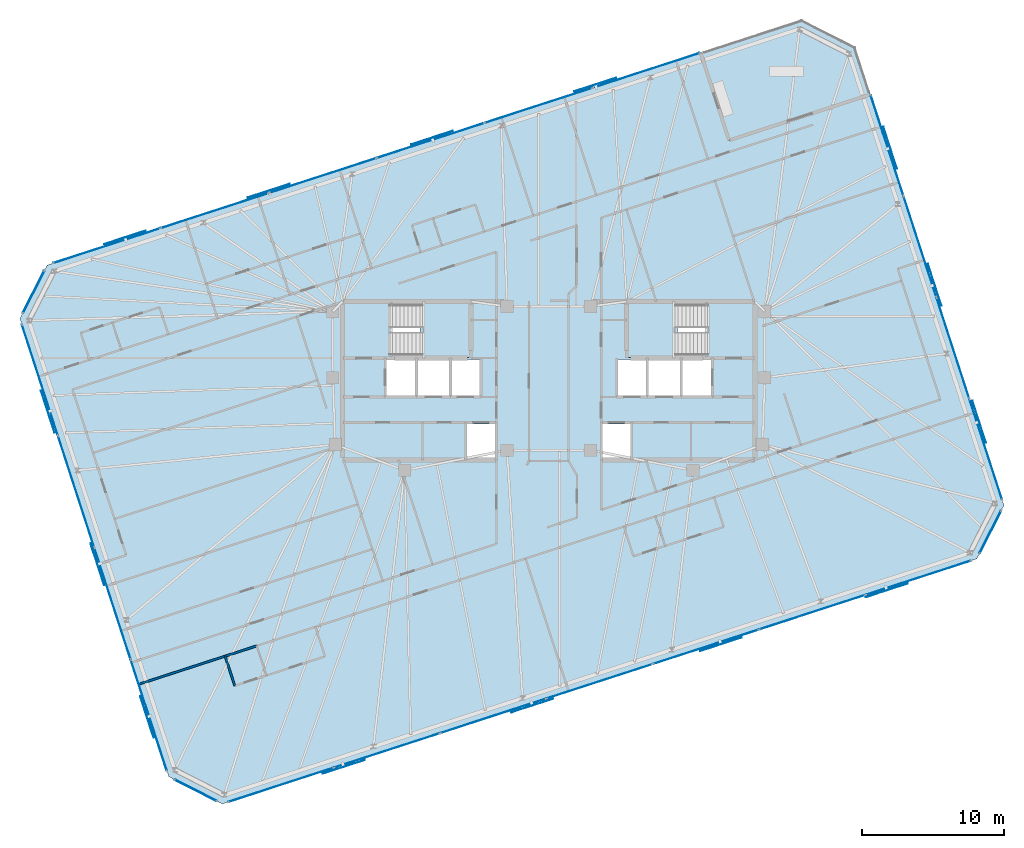
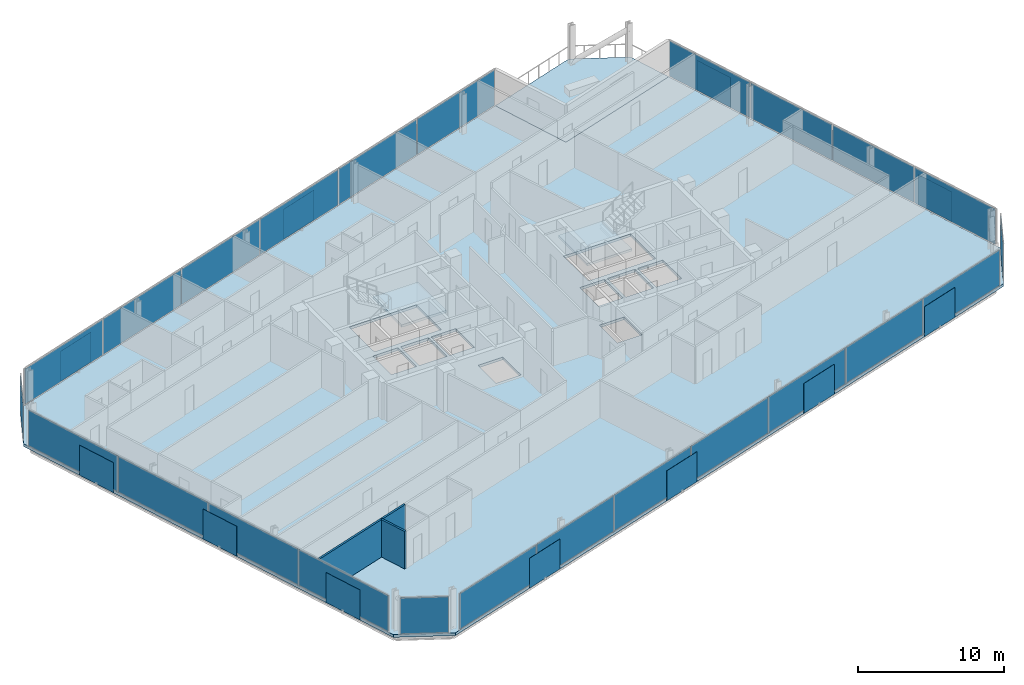
# One storey, part 12 of 19: 38 plates, 4 slabs, 3 walls, 9 elements without a shape of their own.
"""IFC4 building model written with IfcOpenShell, lengths in metres."""

from ifc_helpers import new_model, si_unit, direction, frame, frame_2d, origin, origin_2d, place, context, subcontext, project, spatial, polyline, rectangle, outline, extrude, material, layer, layer_set, type_object, element, aggregate, save


model = new_model("IFC4")

# Units and contexts
model_context = context("Model", 3, precision=1e-05, world=origin(), true_north=direction((0.0, 1.0)))
body_context = subcontext(model_context, "Body", "Model", "MODEL_VIEW")
ifc_project = project(units=[si_unit("LENGTHUNIT", "METRE"), si_unit("AREAUNIT", "SQUARE_METRE"), si_unit("VOLUMEUNIT", "CUBIC_METRE"), si_unit("PLANEANGLEUNIT", "RADIAN"), si_unit("MASSUNIT", "GRAM", prefix="KILO")], contexts=[model_context])

# Site, building, storey
site_placement = place(None, origin())
site = spatial("IfcSite", under=ifc_project, at=site_placement, CompositionType="ELEMENT")
building_placement = place(site_placement, origin())
building = spatial("IfcBuilding", under=site, at=building_placement, Name="Menara Jurai Vektor", CompositionType="ELEMENT")
storey_placement = place(building_placement, frame((0.0, 0.0, 231.0)))
storey = spatial("IfcBuildingStorey", under=building, at=storey_placement, Name="L61", CompositionType="ELEMENT", Elevation=231.0)

# Curtain wall, plates
ifc_material_1 = material(Name="Anodised Pale Aluminium & Low-E Double Glazing", Category="aluminium")
curtain_wall_type = type_object("IfcCurtainWallType", Name="CW-BLK4", PredefinedType="NOTDEFINED", material=ifc_material_1)
curtain_wall_1_placement = place(storey_placement, origin())
curtain_wall_1 = element("IfcCurtainWall", 1, at=curtain_wall_1_placement, inside=storey, type_object=curtain_wall_type, Name="Unitised Curtain Wall L61 F03", PredefinedType="NOTDEFINED")
ifc_material_2 = material(Name="Low-E Solar-Control Double Glazed Unit", Category="glass")
ifc_layer_1 = layer(ifc_material_2, 0.030029296875)
ifc_layer_set_1 = layer_set([ifc_layer_1], Name="Low-E Solar-Control Double Glazed Unit")
plate_type_1 = type_object("IfcPlateType", Name="CW-BLK4-PNL", PredefinedType="CURTAIN_PANEL", material=ifc_layer_set_1)
plate_1_placement = place(storey_placement, frame((6.883544921875, 21.91064453125, 0.080078125), z_axis=(0.0, 0.0, 1.0), x_axis=(-0.95105642416, -0.309017277937, 0.0)))
plate_1 = element("IfcPlate", 2, at=plate_1_placement, type_object=plate_type_1, Name="CW-04 panel 1.1", PredefinedType="CURTAIN_PANEL", context=body_context, shape_type="SweptSolid", body=[
    extrude(rectangle(XDim=7.89990234375, YDim=0.030029296875, at=origin_2d()), origin(), (0.0, 0.0, 1.0), 2.965087890625),
])
plate_2_placement = place(storey_placement, frame((-0.724853515625, 19.4384765625, 0.080078125), z_axis=(0.0, 0.0, 1.0), x_axis=(-0.95105642416, -0.309017277937, 0.0)))
plate_2 = element("IfcPlate", 3, at=plate_2_placement, type_object=plate_type_1, Name="CW-04 panel 2.1", PredefinedType="CURTAIN_PANEL", context=body_context, shape_type="SweptSolid", body=[
    extrude(rectangle(XDim=7.93994140625, YDim=0.030029296875, at=origin_2d()), origin(), (0.0, 0.0, 1.0), 2.965087890625),
])
plate_3_placement = place(storey_placement, frame((-8.352294921875, 16.960205078125, 0.080078125), z_axis=(0.0, 0.0, 1.0), x_axis=(-0.95105642416, -0.309017277937, 0.0)))
plate_3 = element("IfcPlate", 4, at=plate_3_placement, type_object=plate_type_1, Name="CW-04 panel 3.1", PredefinedType="CURTAIN_PANEL", context=body_context, shape_type="SweptSolid", body=[
    extrude(rectangle(XDim=7.93994140625, YDim=0.030029296875, at=origin_2d()), origin(), (0.0, 0.0, 1.0), 2.965087890625),
])
plate_4_placement = place(storey_placement, frame((-15.979736328125, 14.48193359375, 0.080078125), z_axis=(0.0, 0.0, 1.0), x_axis=(-0.95105642416, -0.309017277937, 0.0)))
plate_4 = element("IfcPlate", 5, at=plate_4_placement, type_object=plate_type_1, Name="CW-04 panel 4.1", PredefinedType="CURTAIN_PANEL", context=body_context, shape_type="SweptSolid", body=[
    extrude(rectangle(XDim=7.93994140625, YDim=0.030029296875, at=origin_2d()), origin(), (0.0, 0.0, 1.0), 2.965087890625),
])
plate_5_placement = place(storey_placement, frame((-23.607421875, 12.003662109375, 0.080078125), z_axis=(0.0, 0.0, 1.0), x_axis=(-0.95105642416, -0.309017277937, 0.0)))
plate_5 = element("IfcPlate", 6, at=plate_5_placement, type_object=plate_type_1, Name="CW-04 panel 5.1", PredefinedType="CURTAIN_PANEL", context=body_context, shape_type="SweptSolid", body=[
    extrude(rectangle(XDim=7.93994140625, YDim=0.030029296875, at=origin_2d()), origin(), (0.0, 0.0, 1.0), 2.965087890625),
])
plate_6_placement = place(storey_placement, frame((-31.2158203125, 9.531494140625, 0.080078125), z_axis=(0.0, 0.0, 1.0), x_axis=(-0.95105642416, -0.309017277937, 0.0)))
plate_6 = element("IfcPlate", 7, at=plate_6_placement, type_object=plate_type_1, Name="CW-04 panel 6.1", PredefinedType="CURTAIN_PANEL", context=body_context, shape_type="SweptSolid", body=[
    extrude(rectangle(XDim=7.89990234375, YDim=0.030029296875, at=origin_2d()), origin(), (0.0, 0.0, 1.0), 2.965087890625),
])
aggregate(curtain_wall_1, [plate_1, plate_2, plate_3, plate_4, plate_5, plate_6])

curtain_wall_2_placement = place(storey_placement, origin())
curtain_wall_2 = element("IfcCurtainWall", 8, at=curtain_wall_2_placement, inside=storey, type_object=curtain_wall_type, Name="Unitised Curtain Wall L61 F05", PredefinedType="NOTDEFINED")
plate_7_placement = place(storey_placement, frame((-35.928466796875, 0.056396484375, 0.080078125), z_axis=(0.0, 0.0, 1.0), x_axis=(0.309016481464, -0.95105668295, 0.0)))
plate_7 = element("IfcPlate", 9, at=plate_7_placement, type_object=plate_type_1, Name="CW-04 panel 1.1", PredefinedType="CURTAIN_PANEL", context=body_context, shape_type="SweptSolid", body=[
    extrude(rectangle(XDim=8.18994140625, YDim=0.030029296875, at=origin_2d()), origin(), (0.0, 0.0, 1.0), 2.965087890625),
])
plate_8_placement = place(storey_placement, frame((-33.36669921875, -7.827880859375, 0.080078125), z_axis=(0.0, 0.0, 1.0), x_axis=(0.309016481464, -0.95105668295, 0.0)))
plate_8 = element("IfcPlate", 10, at=plate_8_placement, type_object=plate_type_1, Name="CW-04 panel 2.1", PredefinedType="CURTAIN_PANEL", context=body_context, shape_type="SweptSolid", body=[
    extrude(rectangle(XDim=8.22998046875, YDim=0.030029296875, at=origin_2d()), origin(), (0.0, 0.0, 1.0), 2.965087890625),
])
plate_9_placement = place(storey_placement, frame((-30.798828125, -15.731201171875, 0.080078125), z_axis=(0.0, 0.0, 1.0), x_axis=(0.309016481464, -0.95105668295, 0.0)))
plate_9 = element("IfcPlate", 11, at=plate_9_placement, type_object=plate_type_1, Name="CW-04 panel 3.1", PredefinedType="CURTAIN_PANEL", context=body_context, shape_type="SweptSolid", body=[
    extrude(rectangle(XDim=8.22998046875, YDim=0.030029296875, at=origin_2d()), origin(), (0.0, 0.0, 1.0), 2.965087890625),
])
plate_10_placement = place(storey_placement, frame((-28.237060546875, -23.615478515625, 0.080078125), z_axis=(0.0, 0.0, 1.0), x_axis=(0.309016481464, -0.95105668295, 0.0)))
plate_10 = element("IfcPlate", 12, at=plate_10_placement, type_object=plate_type_1, Name="CW-04 panel 4.1", PredefinedType="CURTAIN_PANEL", context=body_context, shape_type="SweptSolid", body=[
    extrude(rectangle(XDim=8.18994140625, YDim=0.030029296875, at=origin_2d()), origin(), (0.0, 0.0, 1.0), 2.965087890625),
])
aggregate(curtain_wall_2, [plate_7, plate_8, plate_9, plate_10])

curtain_wall_3_placement = place(storey_placement, origin())
curtain_wall_3 = element("IfcCurtainWall", 13, at=curtain_wall_3_placement, inside=storey, type_object=curtain_wall_type, Name="Unitised Curtain Wall L61 F07", PredefinedType="NOTDEFINED")
plate_11_placement = place(storey_placement, frame((-18.916259765625, -28.53076171875, 0.080078125), z_axis=(0.0, 0.0, 1.0), x_axis=(0.951056402641, 0.309017344167, 0.0)))
plate_11 = element("IfcPlate", 14, at=plate_11_placement, type_object=plate_type_1, Name="CW-04 panel 1.1", PredefinedType="CURTAIN_PANEL", context=body_context, shape_type="SweptSolid", body=[
    extrude(rectangle(XDim=7.771484375, YDim=0.030029296875, at=origin_2d()), origin(), (0.0, 0.0, 1.0), 2.965087890625),
])
plate_12_placement = place(storey_placement, frame((-11.429931640625, -26.098388671875, 0.080078125), z_axis=(0.0, 0.0, 1.0), x_axis=(0.951056402641, 0.309017344167, 0.0)))
plate_12 = element("IfcPlate", 15, at=plate_12_placement, type_object=plate_type_1, Name="CW-04 panel 2.1", PredefinedType="CURTAIN_PANEL", context=body_context, shape_type="SweptSolid", body=[
    extrude(rectangle(XDim=7.8115234375, YDim=0.030029296875, at=origin_2d()), origin(), (0.0, 0.0, 1.0), 2.965087890625),
])
plate_13_placement = place(storey_placement, frame((-3.9248046875, -23.65966796875, 0.080078125), z_axis=(0.0, 0.0, 1.0), x_axis=(0.951056402641, 0.309017344167, 0.0)))
plate_13 = element("IfcPlate", 16, at=plate_13_placement, type_object=plate_type_1, Name="CW-04 panel 3.1", PredefinedType="CURTAIN_PANEL", context=body_context, shape_type="SweptSolid", body=[
    extrude(rectangle(XDim=7.8115234375, YDim=0.030029296875, at=origin_2d()), origin(), (0.0, 0.0, 1.0), 2.965087890625),
])
plate_14_placement = place(storey_placement, frame((3.580322265625, -21.22119140625, 0.080078125), z_axis=(0.0, 0.0, 1.0), x_axis=(0.951056402641, 0.309017344167, 0.0)))
plate_14 = element("IfcPlate", 17, at=plate_14_placement, type_object=plate_type_1, Name="CW-04 panel 4.1", PredefinedType="CURTAIN_PANEL", context=body_context, shape_type="SweptSolid", body=[
    extrude(rectangle(XDim=7.8115234375, YDim=0.030029296875, at=origin_2d()), origin(), (0.0, 0.0, 1.0), 2.965087890625),
])
plate_15_placement = place(storey_placement, frame((11.08544921875, -18.782470703125, 0.080078125), z_axis=(0.0, 0.0, 1.0), x_axis=(0.951056402641, 0.309017344167, 0.0)))
plate_15 = element("IfcPlate", 18, at=plate_15_placement, type_object=plate_type_1, Name="CW-04 panel 5.1", PredefinedType="CURTAIN_PANEL", context=body_context, shape_type="SweptSolid", body=[
    extrude(rectangle(XDim=7.8115234375, YDim=0.030029296875, at=origin_2d()), origin(), (0.0, 0.0, 1.0), 2.965087890625),
])
plate_16_placement = place(storey_placement, frame((18.5908203125, -16.343994140625, 0.080078125), z_axis=(0.0, 0.0, 1.0), x_axis=(0.951056402641, 0.309017344167, 0.0)))
plate_16 = element("IfcPlate", 19, at=plate_16_placement, type_object=plate_type_1, Name="CW-04 panel 6.1", PredefinedType="CURTAIN_PANEL", context=body_context, shape_type="SweptSolid", body=[
    extrude(rectangle(XDim=7.8115234375, YDim=0.030029296875, at=origin_2d()), origin(), (0.0, 0.0, 1.0), 2.965087890625),
])
plate_17_placement = place(storey_placement, frame((26.076904296875, -13.91162109375, 0.080078125), z_axis=(0.0, 0.0, 1.0), x_axis=(0.951056402641, 0.309017344167, 0.0)))
plate_17 = element("IfcPlate", 20, at=plate_17_placement, type_object=plate_type_1, Name="CW-04 panel 7.1", PredefinedType="CURTAIN_PANEL", context=body_context, shape_type="SweptSolid", body=[
    extrude(rectangle(XDim=7.771484375, YDim=0.030029296875, at=origin_2d()), origin(), (0.0, 0.0, 1.0), 2.965087890625),
])
aggregate(curtain_wall_3, [plate_11, plate_12, plate_13, plate_14, plate_15, plate_16, plate_17])

curtain_wall_4_placement = place(storey_placement, origin())
curtain_wall_4 = element("IfcCurtainWall", 21, at=curtain_wall_4_placement, inside=storey, type_object=curtain_wall_type, Name="Unitised Curtain Wall L61 F09", PredefinedType="NOTDEFINED")
plate_18_placement = place(storey_placement, frame((30.848876953125, -4.8271484375, 0.080078125), z_axis=(0.0, 0.0, 1.0), x_axis=(-0.309017455812, 0.951056366365, 0.0)))
plate_18 = element("IfcPlate", 22, at=plate_18_placement, type_object=plate_type_1, Name="CW-04 panel 1.1", PredefinedType="CURTAIN_PANEL", context=body_context, shape_type="SweptSolid", body=[
    extrude(rectangle(XDim=7.409912109375, YDim=0.030029296875, at=origin_2d()), origin(), (0.0, 0.0, 1.0), 2.965087890625),
])
plate_19_placement = place(storey_placement, frame((28.5283203125, 2.315185546875, 0.080078125), z_axis=(0.0, 0.0, 1.0), x_axis=(-0.309017455812, 0.951056366365, 0.0)))
plate_19 = element("IfcPlate", 23, at=plate_19_placement, type_object=plate_type_1, Name="CW-04 panel 2.1", PredefinedType="CURTAIN_PANEL", context=body_context, shape_type="SweptSolid", body=[
    extrude(rectangle(XDim=7.449951171875, YDim=0.030029296875, at=origin_2d()), origin(), (0.0, 0.0, 1.0), 2.965087890625),
])
plate_20_placement = place(storey_placement, frame((26.201416015625, 9.4765625, 0.080078125), z_axis=(0.0, 0.0, 1.0), x_axis=(-0.309017455812, 0.951056366365, 0.0)))
plate_20 = element("IfcPlate", 24, at=plate_20_placement, type_object=plate_type_1, Name="CW-04 panel 3.1", PredefinedType="CURTAIN_PANEL", context=body_context, shape_type="SweptSolid", body=[
    extrude(rectangle(XDim=7.449951171875, YDim=0.030029296875, at=origin_2d()), origin(), (0.0, 0.0, 1.0), 2.965087890625),
])
plate_21_placement = place(storey_placement, frame((23.880615234375, 16.619140625, 0.080078125), z_axis=(0.0, 0.0, 1.0), x_axis=(-0.309017455812, 0.951056366365, 0.0)))
plate_21 = element("IfcPlate", 25, at=plate_21_placement, type_object=plate_type_1, Name="CW-04 panel 4.1", PredefinedType="CURTAIN_PANEL", context=body_context, shape_type="SweptSolid", body=[
    extrude(rectangle(XDim=7.409912109375, YDim=0.030029296875, at=origin_2d()), origin(), (0.0, 0.0, 1.0), 2.965087890625),
])
aggregate(curtain_wall_4, [plate_18, plate_19, plate_20, plate_21])

# Curtain wall, plate
curtain_wall_5_placement = place(storey_placement, origin())
curtain_wall_5 = element("IfcCurtainWall", 26, at=curtain_wall_5_placement, inside=storey, type_object=curtain_wall_type, Name="Unitised Curtain Wall L61 F04", PredefinedType="NOTDEFINED")
ifc_material_3 = material(Name="Insulated Pale Aluminium Spandrel Panel", Category="aluminium")
ifc_layer_2 = layer(ifc_material_3, 0.06005859375)
ifc_layer_set_2 = layer_set([ifc_layer_2], Name="Insulated Pale Aluminium Spandrel Panel")
plate_type_2 = type_object("IfcPlateType", Name="CW-PNL-SP", PredefinedType="CURTAIN_PANEL", material=ifc_layer_set_2)
plate_22_placement = place(storey_placement, frame((-36.373046875, 6.278564453125, 0.080078125), z_axis=(0.0, 0.0, 1.0), x_axis=(-0.453988579828, -0.89100750243, 0.0)))
plate_22 = element("IfcPlate", 27, at=plate_22_placement, type_object=plate_type_2, Name="CW-04 panel 1.1", PredefinedType="CURTAIN_PANEL", context=body_context, shape_type="SweptSolid", body=[
    extrude(rectangle(XDim=3.32275390625, YDim=0.06005859375, at=origin_2d()), origin(), (0.0, 0.0, 1.0), 2.965087890625),
])
aggregate(curtain_wall_5, [plate_22])

curtain_wall_6_placement = place(storey_placement, origin())
curtain_wall_6 = element("IfcCurtainWall", 28, at=curtain_wall_6_placement, inside=storey, type_object=curtain_wall_type, Name="Unitised Curtain Wall L61 F06", PredefinedType="NOTDEFINED")
plate_23_placement = place(storey_placement, frame((-24.939453125, -28.91064453125, 0.080078125), z_axis=(0.0, 0.0, 1.0), x_axis=(0.89100750243, -0.453988579828, 0.0)))
plate_23 = element("IfcPlate", 29, at=plate_23_placement, type_object=plate_type_2, Name="CW-04 panel 1.1", PredefinedType="CURTAIN_PANEL", context=body_context, shape_type="SweptSolid", body=[
    extrude(rectangle(XDim=3.32275390625, YDim=0.06005859375, at=origin_2d()), origin(), (0.0, 0.0, 1.0), 2.965087890625),
])
aggregate(curtain_wall_6, [plate_23])

curtain_wall_7_placement = place(storey_placement, origin())
curtain_wall_7 = element("IfcCurtainWall", 30, at=curtain_wall_7_placement, inside=storey, type_object=curtain_wall_type, Name="Unitised Curtain Wall L61 F08", PredefinedType="NOTDEFINED")
plate_24_placement = place(storey_placement, frame((31.1728515625, -10.678466796875, 0.080078125), z_axis=(0.0, 0.0, 1.0), x_axis=(0.453988579828, 0.89100750243, 0.0)))
plate_24 = element("IfcPlate", 31, at=plate_24_placement, type_object=plate_type_2, Name="CW-04 panel 1.1", PredefinedType="CURTAIN_PANEL", context=body_context, shape_type="SweptSolid", body=[
    extrude(rectangle(XDim=3.32275390625, YDim=0.06005859375, at=origin_2d()), origin(), (0.0, 0.0, 1.0), 2.965087890625),
])
aggregate(curtain_wall_7, [plate_24])

# Plates
ifc_material_4 = material(Name="Anodised Pale Aluminium Perforated Screen", Category="aluminium")
ifc_layer_3 = layer(ifc_material_4, 0.02197265625)
ifc_layer_set_3 = layer_set([ifc_layer_3], Name="Anodised Pale Aluminium Perforated Screen")
plate_type_3 = type_object("IfcPlateType", Name="ENV-PLT-SCREEN-HI", PredefinedType="USERDEFINED", material=ifc_layer_set_3)
for number, where, z_axis, x_axis, name in (
    (32, (3.28662109375, 20.91015625, -0.050048828125), (0.0, 0.0, 1.0), (-0.951056516295, -0.309016994375, 0.0), "Perforated Pale-Metal Solar Screen L61-S01"),
    (33, (-8.244873046875, 17.163330078125, -0.050048828125), (0.0, 0.0, 1.0), (-0.951056516295, -0.309016994375, 0.0), "Perforated Pale-Metal Solar Screen L61-S02"),
    (34, (-19.7763671875, 13.41650390625, -0.050048828125), (0.0, 0.0, 1.0), (-0.951056516295, -0.309016994375, 0.0), "Perforated Pale-Metal Solar Screen L61-S03"),
    (35, (-29.92431640625, 10.119384765625, -0.050048828125), (0.0, 0.0, 1.0), (-0.951056516295, -0.309016994375, 0.0), "Perforated Pale-Metal Solar Screen L61-S04"),
    (36, (-35.369384765625, -2.18212890625, -0.050048828125), (0.0, 0.0, 1.0), (0.309016994375, -0.951056516295, 0.0), "Perforated Pale-Metal Solar Screen L61-S05"),
    (37, (-31.8671875, -12.960693359375, -0.050048828125), (0.0, 0.0, 1.0), (0.309016994375, -0.951056516295, 0.0), "Perforated Pale-Metal Solar Screen L61-S06"),
    (38, (-28.364990234375, -23.739501953125, -0.050048828125), (0.0, 0.0, 1.0), (0.309016994375, -0.951056516295, 0.0), "Perforated Pale-Metal Solar Screen L61-S07"),
    (39, (-14.478271484375, -27.257080078125, -0.050048828125), (0.0, 0.0, 1.0), (0.951056516295, 0.309016994375, 0.0), "Perforated Pale-Metal Solar Screen L61-S08"),
    (40, (-1.16357421875, -22.930908203125, -0.050048828125), (0.0, 0.0, 1.0), (0.951056516295, 0.309016994375, 0.0), "Perforated Pale-Metal Solar Screen L61-S09"),
    (41, (12.151123046875, -18.6044921875, -0.050048828125), (0.0, 0.0, 1.0), (0.951056516295, 0.309016994375, 0.0), "Perforated Pale-Metal Solar Screen L61-S10"),
    (42, (23.868408203125, -14.797607421875, -0.050048828125), (0.0, 0.0, 1.0), (0.951056516295, 0.309016994375, 0.0), "Perforated Pale-Metal Solar Screen L61-S11"),
    (43, (30.387451171875, -2.88916015625, -0.050048828125), (0.0, 0.0, 1.0), (-0.309016994375, 0.951056516295, 0.0), "Perforated Pale-Metal Solar Screen L61-S12"),
    (44, (27.245849609375, 6.77978515625, -0.050048828125), (0.0, 0.0, 1.0), (-0.309016994375, 0.951056516295, 0.0), "Perforated Pale-Metal Solar Screen L61-S13"),
    (45, (24.10400390625, 16.448974609375, -0.050048828125), (0.0, 0.0, 1.0), (-0.309016994375, 0.951056516295, 0.0), "Perforated Pale-Metal Solar Screen L61-S14"),
):
    element("IfcPlate", number, at=place(storey_placement, frame(where, z_axis=z_axis, x_axis=x_axis)), inside=storey, type_object=plate_type_3, Name=name, ObjectType="SCREEN", PredefinedType="USERDEFINED", context=body_context, shape_type="SweptSolid", body=[
        extrude(rectangle(XDim=3.10009765625, YDim=0.02197265625, at=origin_2d()), origin(), (0.0, 0.0, 1.0), 2.5),
    ])

# Stair, slab
ifc_material_5 = material(Name="Concrete C40/50", Category="concrete")
stair_type = type_object("IfcStairType", Name="STAIR-DOGLEG-1500", PredefinedType="HALF_TURN_STAIR", material=ifc_material_5)
stair_1_placement = place(storey_placement, origin())
stair_1 = element("IfcStair", 46, at=stair_1_placement, inside=storey, type_object=stair_type, Name="Protected Exit Stair ST1 L61", PredefinedType="HALF_TURN_STAIR")
ifc_layer_4 = layer(ifc_material_5, 0.199951171875)
ifc_layer_set_4 = layer_set([ifc_layer_4], Name="Concrete C40/50")
slab_type_1 = type_object("IfcSlabType", Name="STAIR-LANDING-200", PredefinedType="LANDING", material=ifc_layer_set_4)
slab_1_placement = place(storey_placement, frame((0.0, 0.0, 1.47509765625)))
slab_1 = element("IfcSlab", 47, at=slab_1_placement, type_object=slab_type_1, Name="ST1 landing 1", PredefinedType="LANDING", context=body_context, shape_type="SweptSolid", body=[
    extrude(outline(polyline([(-9.080078125, 1.64990234375), (-5.550048828125, 1.64990234375), (-5.550048828125, 5.550048828125), (-9.080078125, 5.550048828125), (-9.080078125, 1.64990234375)])), origin(), (0.0, 0.0, 1.0), 0.199951171875),
])
aggregate(stair_1, [slab_1])

stair_2_placement = place(storey_placement, origin())
stair_2 = element("IfcStair", 48, at=stair_2_placement, inside=storey, type_object=stair_type, Name="Protected Exit Stair ST2 L61", PredefinedType="HALF_TURN_STAIR")
slab_2_placement = place(storey_placement, frame((0.0, 0.0, 1.47509765625)))
slab_2 = element("IfcSlab", 49, at=slab_2_placement, type_object=slab_type_1, Name="ST2 landing 1", PredefinedType="LANDING", context=body_context, shape_type="SweptSolid", body=[
    extrude(outline(polyline([(5.550048828125, 1.64990234375), (9.080078125, 1.64990234375), (9.080078125, 5.550048828125), (5.550048828125, 5.550048828125), (5.550048828125, 1.64990234375)])), origin(), (0.0, 0.0, 1.0), 0.199951171875),
])
aggregate(stair_2, [slab_2])

# Slabs
ifc_layer_5 = layer(ifc_material_5, 0.219970703125)
ifc_layer_set_5 = layer_set([ifc_layer_5], Name="Concrete C40/50")
slab_type_2 = type_object("IfcSlabType", Name="STR-SLAB-TER220", PredefinedType="FLOOR", material=ifc_layer_set_5)
slab_3_placement = place(storey_placement, frame((0.0, 0.0, -0.22509765625)))
element("IfcSlab", 50, at=slab_3_placement, inside=storey, type_object=slab_type_2, Name="Spiral Sky Terrace Slab L61", PredefinedType="FLOOR", context=body_context, shape_type="SweptSolid", body=[
    extrude(outline(polyline([(10.71630859375, 23.156005859375), (12.724853515625, 16.97412109375), (22.7109375, 20.21875), (21.62939453125, 23.547607421875), (17.84912109375, 25.4736328125), (10.71630859375, 23.156005859375)])), origin(), (0.0, 0.0, 1.0), 0.22509765625),
])
ifc_layer_6 = layer(ifc_material_5, 0.22509765625)
ifc_layer_set_6 = layer_set([ifc_layer_6], Name="Concrete C40/50")
slab_type_3 = type_object("IfcSlabType", Name="STR-SLAB-TYP200", PredefinedType="FLOOR", material=ifc_layer_set_6)
slab_4_placement = place(storey_placement, frame((0.0, 0.0, -0.22509765625)))
element("IfcSlab", 51, at=slab_4_placement, inside=storey, type_object=slab_type_3, Name="Composite Floor Slab L61", PredefinedType="FLOOR", context=body_context, shape_type="SweptSolid", body=[
    extrude(outline(polyline([(22.7109375, 20.21875), (12.724853515625, 16.97412109375), (10.71630859375, 23.156005859375), (-35.409912109375, 8.168701171875), (-37.3359375, 4.388427734375), (-26.82958984375, -27.947509765625), (-23.04931640625, -29.87353515625), (30.2099609375, -12.568603515625), (32.135986328125, -8.788330078125), (22.7109375, 20.21875)]), holes=[polyline([(-11.10009765625, 1.89990234375), (-11.10009765625, 5.300048828125), (-5.800048828125, 5.300048828125), (-5.800048828125, 1.89990234375), (-11.10009765625, 1.89990234375)]), polyline([(5.800048828125, 1.89990234375), (5.800048828125, 5.300048828125), (11.10009765625, 5.300048828125), (11.10009765625, 1.89990234375), (5.800048828125, 1.89990234375)]), polyline([(-11.449951171875, -1.050048828125), (-11.449951171875, 1.5), (-9.449951171875, 1.5), (-9.449951171875, -1.050048828125), (-11.449951171875, -1.050048828125)]), polyline([(9.449951171875, -1.050048828125), (9.449951171875, 1.5), (11.449951171875, 1.5), (11.449951171875, -1.050048828125), (9.449951171875, -1.050048828125)]), polyline([(-5.760009765625, -5.5), (-5.760009765625, -3.050048828125), (-3.800048828125, -3.050048828125), (-3.800048828125, -5.5), (-5.760009765625, -5.5)]), polyline([(-6.85009765625, -1.050048828125), (-6.85009765625, 1.5), (-4.889892578125, 1.5), (-4.889892578125, -1.050048828125), (-6.85009765625, -1.050048828125)]), polyline([(3.800048828125, -5.5), (3.800048828125, -3.050048828125), (5.760009765625, -3.050048828125), (5.760009765625, -5.5), (3.800048828125, -5.5)]), polyline([(4.889892578125, -1.050048828125), (4.889892578125, 1.5), (6.85009765625, 1.5), (6.85009765625, -1.050048828125), (4.889892578125, -1.050048828125)]), polyline([(-9.25, -1.050048828125), (-9.25, 1.5), (-7.050048828125, 1.5), (-7.050048828125, -1.050048828125), (-9.25, -1.050048828125)]), polyline([(7.050048828125, -1.050048828125), (7.050048828125, 1.5), (9.25, 1.5), (9.25, -1.050048828125), (7.050048828125, -1.050048828125)])]), origin(), (0.0, 0.0, 1.0), 0.22509765625),
])

# Walls
ifc_material_6 = material(Name="Gypsum Fireboard Partition", Category="gypsum")
ifc_layer_7 = layer(ifc_material_6, 0.14990234375)
ifc_layer_set_7 = layer_set([ifc_layer_7], Name="Gypsum Fireboard Partition")
wall_type = type_object("IfcWallType", Name="INT-WALL-CORR-150", PredefinedType="PARTITIONING", material=ifc_layer_set_7)
wall_1_placement = place(storey_placement, frame((-28.949951171875, -21.42138671875, 0.0), z_axis=(0.0, 0.0, 1.0), x_axis=(0.951048062645, 0.309043010825, 0.0)))
element("IfcWall", 52, at=wall_1_placement, inside=storey, type_object=wall_type, Name="Interior Wall IW-150 L61", PredefinedType="PARTITIONING", context=body_context, shape_type="SweptSolid", body=[
    extrude(rectangle(XDim=6.409912109375, YDim=0.14990234375, at=frame_2d((3.205078125, 0.0))), origin(), (0.0, 0.0, 1.0), 3.125),
])
wall_2_placement = place(storey_placement, frame((-22.853759765625, -19.4404296875, 0.0), z_axis=(0.0, 0.0, 1.0), x_axis=(0.951076048914, 0.308956872689, 0.0)))
element("IfcWall", 53, at=wall_2_placement, inside=storey, type_object=wall_type, Name="Interior Wall IW-150 L61", PredefinedType="PARTITIONING", context=body_context, shape_type="SweptSolid", body=[
    extrude(rectangle(XDim=2.35009765625, YDim=0.14990234375, at=frame_2d((1.175048828125, 0.0))), origin(), (0.0, 0.0, 1.0), 3.125),
])
wall_3_placement = place(storey_placement, frame((-22.173828125, -21.532958984375, 0.0), z_axis=(0.0, 0.0, 1.0), x_axis=(-0.309028364152, 0.951052821956, 0.0)))
element("IfcWall", 54, at=wall_3_placement, inside=storey, type_object=wall_type, Name="Interior Wall IW-150 L61", PredefinedType="PARTITIONING", context=body_context, shape_type="SweptSolid", body=[
    extrude(rectangle(XDim=2.2001953125, YDim=0.14990234375, at=frame_2d((1.10009765625, 0.0))), origin(), (0.0, 0.0, 1.0), 3.125),
])

save(model, "model.ifc")
